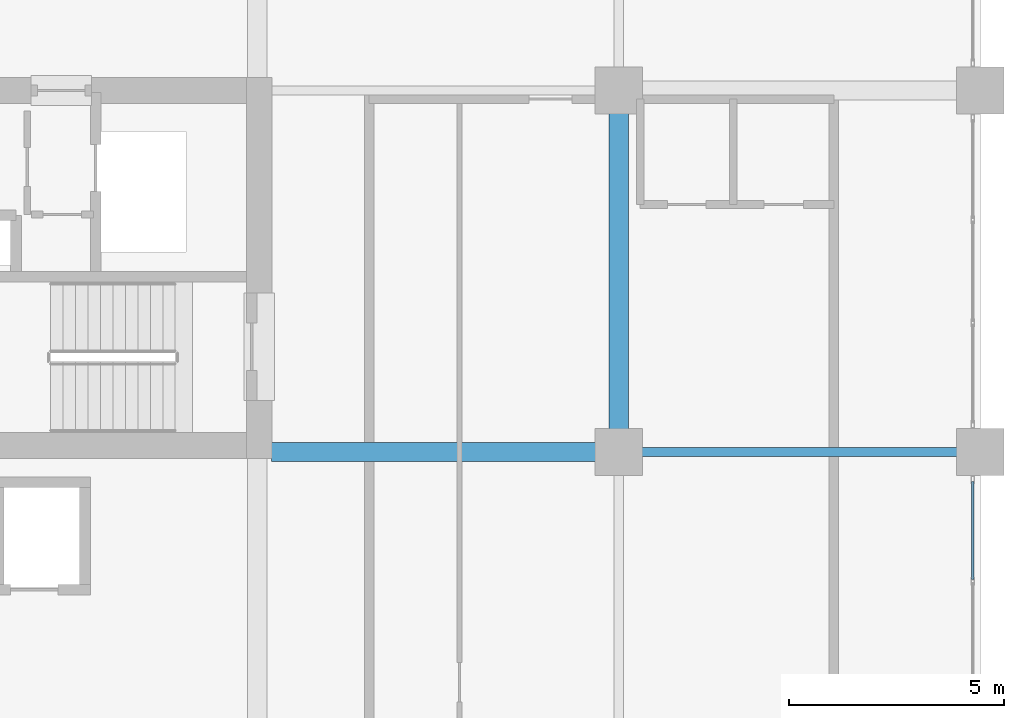
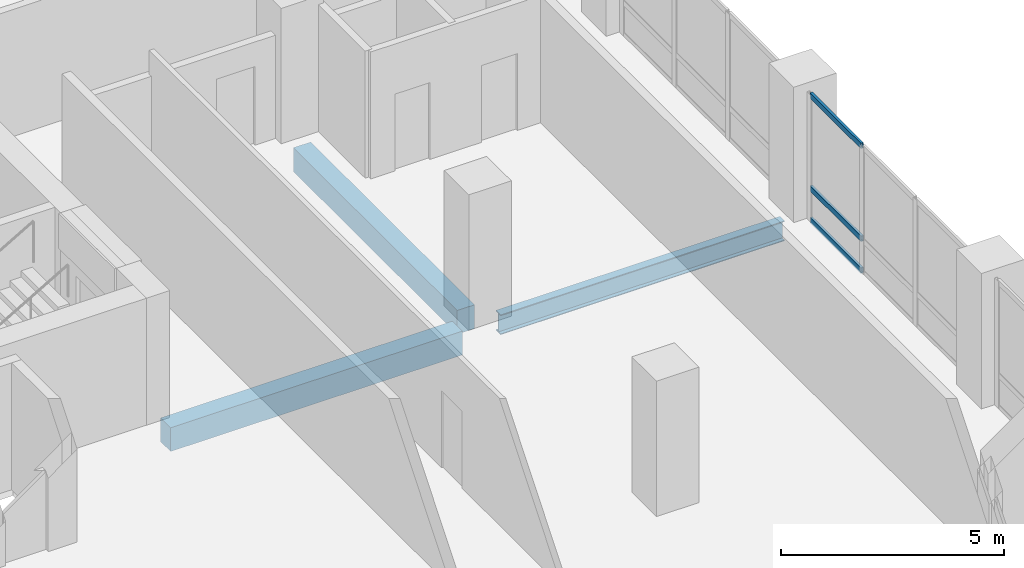
# One storey, part 5 of 20: 3 beams, 3 members, 1 element without a shape of its own.
"""IFC4 building model written with IfcOpenShell, lengths in metres."""

from ifc_helpers import new_model, si_unit, direction, frame, origin, origin_2d, place, context, subcontext, project, spatial, rectangle, hollow_rectangle, i_section, extrude, material, layer, layer_set, material_profile, profile_set, type_object, element, aggregate, save


model = new_model("IFC4")

# Units and contexts
model_context = context("Model", 3, precision=1e-05, world=origin(), true_north=direction((0.0, 1.0)))
body_context = subcontext(model_context, "Body", "Model", "MODEL_VIEW")
ifc_project = project(units=[si_unit("LENGTHUNIT", "METRE"), si_unit("AREAUNIT", "SQUARE_METRE"), si_unit("VOLUMEUNIT", "CUBIC_METRE"), si_unit("PLANEANGLEUNIT", "RADIAN"), si_unit("MASSUNIT", "GRAM", prefix="KILO")], contexts=[model_context])

# Site, building, storey
site_placement = place(None, origin())
site = spatial("IfcSite", under=ifc_project, at=site_placement, CompositionType="ELEMENT")
building_placement = place(site_placement, origin())
building = spatial("IfcBuilding", under=site, at=building_placement, Name="Koriwani Terraces Tower", CompositionType="ELEMENT")
storey_placement = place(building_placement, frame((0.0, 0.0, 212.39990234375)))
storey = spatial("IfcBuildingStorey", under=building, at=storey_placement, Name="L52", CompositionType="ELEMENT", Elevation=212.39990234375)

# Beams
ifc_material_1 = material(Name="Concrete C50/60", Category="concrete")
ifc_material_profile_1 = material_profile(ifc_material_1, rectangle(XDim=0.449951171875, YDim=0.64990234375, at=origin_2d()), Name="Concrete C50/60", Category="LoadBearing")
ifc_profile_set_1 = profile_set([ifc_material_profile_1], Name="Concrete C50/60")
beam_type_1 = type_object("IfcBeamType", Name="BEAM_RC_GRID_450X650", PredefinedType="BEAM", material=ifc_profile_set_1)
beam_1_placement = place(storey_placement, frame((59.1298828125, 16.800048828125, -0.554931640625), z_axis=(1.0, 0.0, 0.0), x_axis=(0.0, 1.0, 0.0)))
element("IfcBeam", 1, at=beam_1_placement, inside=storey, type_object=beam_type_1, Name="L52 Grid Beam C (58.8-67.2m)", PredefinedType="BEAM", context=body_context, shape_type="SweptSolid", body=[
    extrude(rectangle(XDim=0.449951171875, YDim=0.64990234375, at=origin_2d()), origin(), (0.0, 0.0, 1.0), 7.5400390625),
])
beam_2_placement = place(storey_placement, frame((67.199951171875, 17.330078125, -0.554931640625), z_axis=(0.0, 1.0, 0.0), x_axis=(-1.0, 0.0, 0.0)))
element("IfcBeam", 2, at=beam_2_placement, inside=storey, type_object=beam_type_1, Name="L52 Grid Beam 9 (16.8-25.2m)", PredefinedType="BEAM", context=body_context, shape_type="SweptSolid", body=[
    extrude(rectangle(XDim=0.449951171875, YDim=0.64990234375, at=origin_2d()), origin(), (0.0, 0.0, 1.0), 7.33984375),
])

# Curtain wall, members
ifc_material_2 = material(Name="Anodised Bronze Aluminium", Category="aluminium")
ifc_layer = layer(ifc_material_2, 0.169921875, Name="Anodised Bronze Aluminium")
ifc_layer_set = layer_set([ifc_layer], Name="Anodised Bronze Aluminium")
curtain_wall_type = type_object("IfcCurtainWallType", Name="CW_RES_ZONE3", PredefinedType="NOTDEFINED", material=ifc_layer_set)
curtain_wall_placement = place(storey_placement, origin())
curtain_wall = element("IfcCurtainWall", 3, at=curtain_wall_placement, inside=storey, type_object=curtain_wall_type, Name="L52 Unitised Curtain Wall (E_TIP) Bay 3", PredefinedType="NOTDEFINED")
ifc_material_profile_2 = material_profile(ifc_material_2, hollow_rectangle(XDim=0.06494140625, YDim=0.14990234375, WallThickness=0.0048828125, at=origin_2d()), Name="Anodised Bronze Aluminium", Category="LoadBearing")
ifc_profile_set_2 = profile_set([ifc_material_profile_2], Name="Anodised Bronze Aluminium")
member_type = type_object("IfcMemberType", Name="CW_TRANSOM_150X65", PredefinedType="USERDEFINED", material=ifc_profile_set_2)
member_1_placement = place(storey_placement, frame((75.425048828125, 16.114990234375, 0.03271484375), z_axis=(0.0, -1.0, 0.0), x_axis=(1.0, 0.0, 0.0)))
member_1 = element("IfcMember", 4, at=member_1_placement, type_object=member_type, Name="CW-Z3 transom 1.1", ObjectType="TRANSOM", PredefinedType="USERDEFINED", context=body_context, shape_type="SweptSolid", body=[
    extrude(hollow_rectangle(XDim=0.06494140625, YDim=0.14990234375, WallThickness=0.0048828125, at=origin_2d()), origin(), (0.0, 0.0, 1.0), 2.28076171875),
])
member_2_placement = place(storey_placement, frame((75.425048828125, 16.114990234375, 0.900146484375), z_axis=(0.0, -1.0, 0.0), x_axis=(1.0, 0.0, 0.0)))
member_2 = element("IfcMember", 5, at=member_2_placement, type_object=member_type, Name="CW-Z3 transom 1.2", ObjectType="TRANSOM", PredefinedType="USERDEFINED", context=body_context, shape_type="SweptSolid", body=[
    extrude(hollow_rectangle(XDim=0.06494140625, YDim=0.14990234375, WallThickness=0.0048828125, at=origin_2d()), origin(), (0.0, 0.0, 1.0), 2.28076171875),
])
member_3_placement = place(storey_placement, frame((75.425048828125, 16.114990234375, 3.4375), z_axis=(0.0, -1.0, 0.0), x_axis=(1.0, 0.0, 0.0)))
member_3 = element("IfcMember", 6, at=member_3_placement, type_object=member_type, Name="CW-Z3 transom 1.3", ObjectType="TRANSOM", PredefinedType="USERDEFINED", context=body_context, shape_type="SweptSolid", body=[
    extrude(hollow_rectangle(XDim=0.06494140625, YDim=0.14990234375, WallThickness=0.0048828125, at=origin_2d()), origin(), (0.0, 0.0, 1.0), 2.28076171875),
])
aggregate(curtain_wall, [member_1, member_2, member_3])

# Beam
ifc_material_3 = material(Name="Steel ASTM A572 Grade 50", Category="steel")
ifc_material_profile_3 = material_profile(ifc_material_3, i_section(OverallWidth=0.2119140625, OverallDepth=0.54296875, WebThickness=0.0126953125, FlangeThickness=0.021240234375, at=origin_2d()), Name="Steel ASTM A572 Grade 50", Category="LoadBearing")
ifc_profile_set_3 = profile_set([ifc_material_profile_3], Name="Steel ASTM A572 Grade 50")
beam_type_2 = type_object("IfcBeamType", Name="STEEL_BEAM_W530X150", PredefinedType="BEAM", material=ifc_profile_set_3)
beam_3_placement = place(storey_placement, frame((67.72998046875, 16.800048828125, -0.50146484375), z_axis=(1.0, 0.0, 0.0), x_axis=(0.0, 1.0, 0.0)))
element("IfcBeam", 7, at=beam_3_placement, inside=storey, type_object=beam_type_2, Name="L52 Grid Beam C (67.2-75.6m)", PredefinedType="BEAM", context=body_context, shape_type="SweptSolid", body=[
    extrude(i_section(OverallWidth=0.2119140625, OverallDepth=0.54296875, WebThickness=0.0126953125, FlangeThickness=0.021240234375, at=origin_2d()), origin(), (0.0, 0.0, 1.0), 7.340087890625),
])

save(model, "model.ifc")
